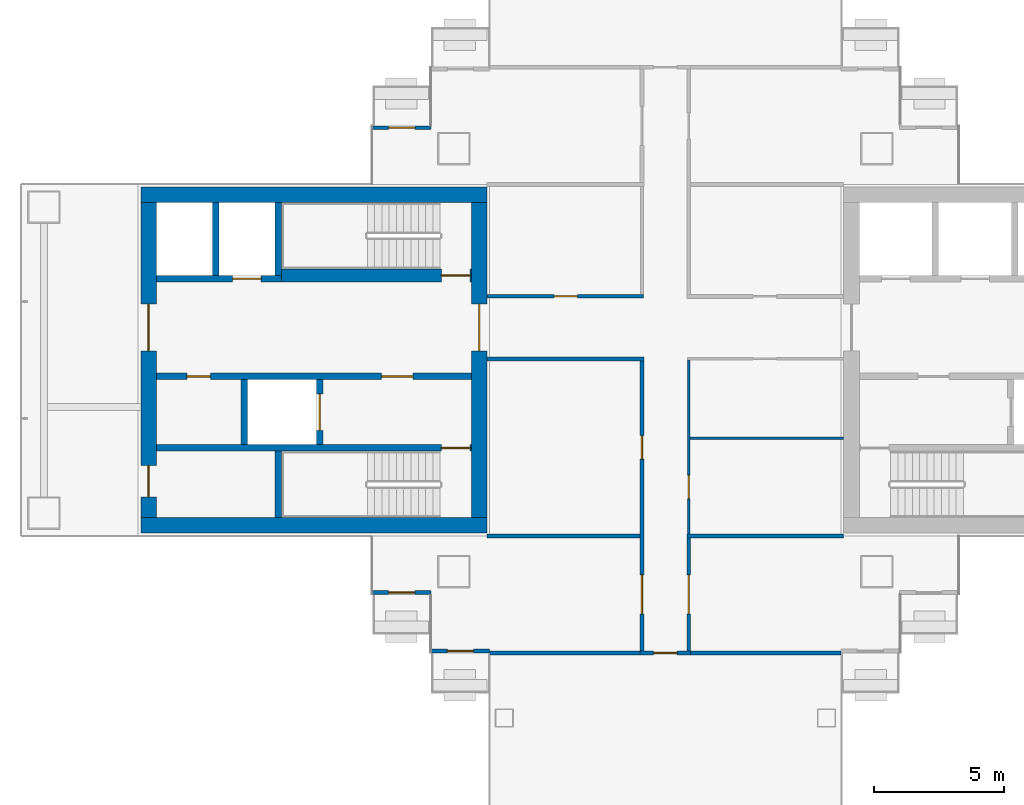
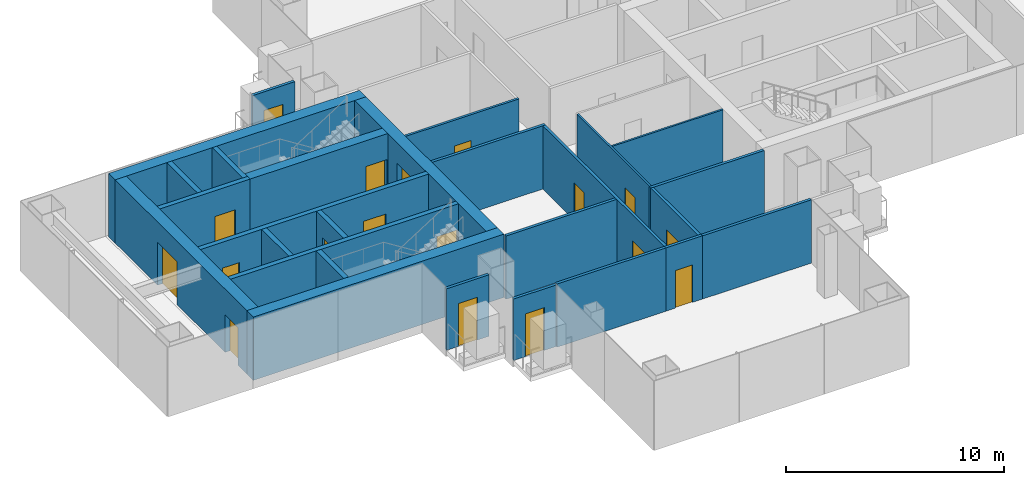
# One storey, part 12 of 20: 27 walls, 18 doors, 18 openings.
"""IFC4 building model written with IfcOpenShell, lengths in metres."""

from ifc_helpers import new_model, si_unit, direction, frame, frame_2d, origin, place, context, subcontext, project, spatial, rectangle, extrude, material, layer, layer_set, type_object, element, fill, save


model = new_model("IFC4")

# Units and contexts
model_context = context("Model", 3, precision=1e-05, world=origin(), true_north=direction((0.0, 1.0)))
body_context = subcontext(model_context, "Body", "Model", "MODEL_VIEW")
ifc_project = project(units=[si_unit("LENGTHUNIT", "METRE"), si_unit("AREAUNIT", "SQUARE_METRE"), si_unit("VOLUMEUNIT", "CUBIC_METRE"), si_unit("PLANEANGLEUNIT", "RADIAN"), si_unit("MASSUNIT", "GRAM", prefix="KILO")], contexts=[model_context])

# Site, building, storey
site_placement = place(None, origin())
site = spatial("IfcSite", under=ifc_project, at=site_placement, CompositionType="ELEMENT")
building_placement = place(site_placement, origin())
building = spatial("IfcBuilding", under=site, at=building_placement, Name="Shamsa Quay Exchange Towers", CompositionType="ELEMENT")
storey_placement = place(building_placement, frame((0.0, 0.0, 105.300048828125)))
storey = spatial("IfcBuildingStorey", under=building, at=storey_placement, Name="L24", CompositionType="ELEMENT", Elevation=105.300048828125)

# Wall, opening, door
ifc_material_1 = material(Name="Aluminium EN AW-6063 T6, black anodised, with black enamelled glass infill", Category="aluminium")
ifc_layer_1 = layer(ifc_material_1, 0.14990234375)
ifc_layer_set_1 = layer_set([ifc_layer_1], Name="BALCONY DOOR BAY WALL 150")
wall_type_1 = type_object("IfcWallType", Name="BALCONY DOOR BAY WALL 150", PredefinedType="SOLIDWALL", material=ifc_layer_set_1)
wall_1_placement = place(storey_placement, frame((-45.0, 8.925048828125, 0.0)))
wall_1 = element("IfcWall", 1, at=wall_1_placement, inside=storey, type_object=wall_type_1, Name="Door bay T1-PKWN L24", PredefinedType="SOLIDWALL", context=body_context, shape_type="SweptSolid", body=[
    extrude(rectangle(XDim=2.25, YDim=0.14990234375, at=frame_2d((1.125, 0.0))), origin(), (0.0, 0.0, 1.0), 3.449951171875),
])
opening_1_placement = place(wall_1_placement, frame((0.625, 0.0, 0.0)))
opening_1 = element("IfcOpeningElement", 2, at=opening_1_placement, cuts=wall_1, Name="Opening XD158", PredefinedType="OPENING", context=body_context, shape_type="SweptSolid", body=[
    extrude(rectangle(XDim=1.0, YDim=2.39990234375, at=frame_2d((0.5, 1.199951171875))), frame((0.0, 0.0849609375, 0.0), z_axis=(0.0, -1.0, 0.0), x_axis=(1.0, 0.0, 0.0)), (0.0, 0.0, 1.0), 0.169921875),
])
ifc_material_2 = material(Name="Aluminium EN AW-6063 T6, black anodised, with laminated glass leaf", Category="aluminium")
door_type_1 = type_object("IfcDoorType", Name="BALCONY DOOR 1000x2400", OperationType="SINGLE_SWING_LEFT", PredefinedType="DOOR", material=ifc_material_2)
door_1_placement = place(opening_1_placement, origin())
door_1 = element("IfcDoor", 3, at=door_1_placement, inside=storey, type_object=door_type_1, Name="Balcony door T1-PKWN L24", OperationType="SINGLE_SWING_RIGHT", OverallHeight=2.39990234375, OverallWidth=1.0, PredefinedType="DOOR", context=body_context, shape_type="SweptSolid", body=[
    extrude(rectangle(XDim=1.0, YDim=2.39990234375, at=frame_2d((0.5, 1.199951171875))), frame((0.0, 0.02490234375, 0.0), z_axis=(0.0, -1.0, 0.0), x_axis=(1.0, 0.0, 0.0)), (0.0, 0.0, 1.0), 0.050048828125),
])
fill(opening_1, door_1)

wall_2_placement = place(storey_placement, frame((-42.75, -8.925048828125, 0.0), z_axis=(0.0, 0.0, 1.0), x_axis=(-1.0, 0.0, 0.0)))
wall_2 = element("IfcWall", 4, at=wall_2_placement, inside=storey, type_object=wall_type_1, Name="Door bay T1-PKWS L24", PredefinedType="SOLIDWALL", context=body_context, shape_type="SweptSolid", body=[
    extrude(rectangle(XDim=2.25, YDim=0.14990234375, at=frame_2d((1.125, 0.0))), origin(), (0.0, 0.0, 1.0), 3.449951171875),
])
opening_2_placement = place(wall_2_placement, frame((0.625, 0.0, 0.0)))
opening_2 = element("IfcOpeningElement", 5, at=opening_2_placement, cuts=wall_2, Name="Opening XD159", PredefinedType="OPENING", context=body_context, shape_type="SweptSolid", body=[
    extrude(rectangle(XDim=1.0, YDim=2.39990234375, at=frame_2d((0.5, 1.199951171875))), frame((0.0, 0.0849609375, 0.0), z_axis=(0.0, -1.0, 0.0), x_axis=(1.0, 0.0, 0.0)), (0.0, 0.0, 1.0), 0.169921875),
])
door_2_placement = place(opening_2_placement, origin())
door_2 = element("IfcDoor", 6, at=door_2_placement, inside=storey, type_object=door_type_1, Name="Balcony door T1-PKWS L24", OperationType="SINGLE_SWING_LEFT", OverallHeight=2.39990234375, OverallWidth=1.0, PredefinedType="DOOR", context=body_context, shape_type="SweptSolid", body=[
    extrude(rectangle(XDim=1.0, YDim=2.39990234375, at=frame_2d((0.5, 1.199951171875))), frame((0.0, 0.02490234375, 0.0), z_axis=(0.0, -1.0, 0.0), x_axis=(1.0, 0.0, 0.0)), (0.0, 0.0, 1.0), 0.050048828125),
])
fill(opening_2, door_2)

wall_3_placement = place(storey_placement, frame((-40.5, -11.175048828125, 0.0), z_axis=(0.0, 0.0, 1.0), x_axis=(-1.0, 0.0, 0.0)))
wall_3 = element("IfcWall", 7, at=wall_3_placement, inside=storey, type_object=wall_type_1, Name="Door bay T1-PKWS L24", PredefinedType="SOLIDWALL", context=body_context, shape_type="SweptSolid", body=[
    extrude(rectangle(XDim=2.25, YDim=0.14990234375, at=frame_2d((1.125, 0.0))), origin(), (0.0, 0.0, 1.0), 3.449951171875),
])
opening_3_placement = place(wall_3_placement, frame((0.625, 0.0, 0.0)))
opening_3 = element("IfcOpeningElement", 8, at=opening_3_placement, cuts=wall_3, Name="Opening XD160", PredefinedType="OPENING", context=body_context, shape_type="SweptSolid", body=[
    extrude(rectangle(XDim=1.0, YDim=2.39990234375, at=frame_2d((0.5, 1.199951171875))), frame((0.0, 0.0849609375, 0.0), z_axis=(0.0, -1.0, 0.0), x_axis=(1.0, 0.0, 0.0)), (0.0, 0.0, 1.0), 0.169921875),
])
door_3_placement = place(opening_3_placement, origin())
door_3 = element("IfcDoor", 9, at=door_3_placement, inside=storey, type_object=door_type_1, Name="Balcony door T1-PKWS L24", OperationType="SINGLE_SWING_RIGHT", OverallHeight=2.39990234375, OverallWidth=1.0, PredefinedType="DOOR", context=body_context, shape_type="SweptSolid", body=[
    extrude(rectangle(XDim=1.0, YDim=2.39990234375, at=frame_2d((0.5, 1.199951171875))), frame((0.0, 0.02490234375, 0.0), z_axis=(0.0, -1.0, 0.0), x_axis=(1.0, 0.0, 0.0)), (0.0, 0.0, 1.0), 0.050048828125),
])
fill(opening_3, door_3)

# Walls
ifc_material_3 = material(Name="Concrete C70/85", Category="concrete")
ifc_layer_2 = layer(ifc_material_3, 0.60009765625)
ifc_layer_set_2 = layer_set([ifc_layer_2], Name="CORE WALL 600 C70/85")
wall_type_2 = type_object("IfcWallType", Name="CORE WALL 600 C70/85", PredefinedType="SHEAR", material=ifc_layer_set_2)
for number, where, z_axis, x_axis, name in (
    (10, (-40.60009765625, -6.35009765625, 0.0), (0.0, 0.0, 1.0), (-1.0, 0.0, 0.0), "Core wall T1B-R10-PS"),
    (11, (-40.60009765625, 6.35009765625, 0.0), (0.0, 0.0, 1.0), (-1.0, 0.0, 0.0), "Core wall T1B-R10-PN"),
):
    element("IfcWall", number, at=place(storey_placement, frame(where, z_axis=z_axis, x_axis=x_axis)), inside=storey, type_object=wall_type_2, Name=name, PredefinedType="SHEAR", context=body_context, shape_type="SweptSolid", body=[
        extrude(rectangle(XDim=13.2998046875, YDim=0.60009765625, at=frame_2d((6.64990234375, 0.0))), origin(), (0.0, 0.0, 1.0), 3.550048828125),
    ])

# Wall, opening, door
wall_4_placement = place(storey_placement, frame((-40.89990234375, -6.050048828125, 0.0), z_axis=(0.0, 0.0, 1.0), x_axis=(0.0, 1.0, 0.0)))
wall_4 = element("IfcWall", 12, at=wall_4_placement, inside=storey, type_object=wall_type_2, Name="Core wall T1B-R10-PF", PredefinedType="SHEAR", context=body_context, shape_type="SweptSolid", body=[
    extrude(rectangle(XDim=12.10009765625, YDim=0.60009765625, at=frame_2d((6.050048828125, 0.0))), origin(), (0.0, 0.0, 1.0), 3.550048828125),
])
opening_4_placement = place(wall_4_placement, frame((6.39990234375, 0.0, 0.0)))
opening_4 = element("IfcOpeningElement", 13, at=opening_4_placement, cuts=wall_4, Name="Opening T1B-R10-LBD01", PredefinedType="OPENING", context=body_context, shape_type="SweptSolid", body=[
    extrude(rectangle(XDim=1.800048828125, YDim=2.39990234375, at=frame_2d((0.89990234375, 1.199951171875))), frame((0.0, 0.31005859375, 0.0), z_axis=(0.0, -1.0, 0.0), x_axis=(1.0, 0.0, 0.0)), (0.0, 0.0, 1.0), 0.6201171875),
])
ifc_material_4 = material(Name="Steel, fire rated", Category="steel")
door_type_2 = type_object("IfcDoorType", Name="LIFT LOBBY DOOR PAIR 1800", OperationType="DOUBLE_DOOR_SINGLE_SWING", PredefinedType="DOOR", material=ifc_material_4)
door_4_placement = place(opening_4_placement, origin())
door_4 = element("IfcDoor", 14, at=door_4_placement, inside=storey, type_object=door_type_2, Name="T1B-R10-LBD01", OperationType="DOUBLE_DOOR_SINGLE_SWING", OverallHeight=2.39990234375, OverallWidth=1.800048828125, PredefinedType="DOOR", context=body_context, shape_type="SweptSolid", body=[
    extrude(rectangle(XDim=1.800048828125, YDim=2.39990234375, at=frame_2d((0.89990234375, 1.199951171875))), frame((0.0, 0.02490234375, 0.0), z_axis=(0.0, -1.0, 0.0), x_axis=(1.0, 0.0, 0.0)), (0.0, 0.0, 1.0), 0.050048828125),
])
fill(opening_4, door_4)

# Wall, openings, doors
wall_5_placement = place(storey_placement, frame((-53.60009765625, -6.050048828125, 0.0), z_axis=(0.0, 0.0, 1.0), x_axis=(0.0, 1.0, 0.0)))
wall_5 = element("IfcWall", 15, at=wall_5_placement, inside=storey, type_object=wall_type_2, Name="Core wall T1B-R10-PB", PredefinedType="SHEAR", context=body_context, shape_type="SweptSolid", body=[
    extrude(rectangle(XDim=12.10009765625, YDim=0.60009765625, at=frame_2d((6.050048828125, 0.0))), origin(), (0.0, 0.0, 1.0), 3.550048828125),
])
opening_5_placement = place(wall_5_placement, frame((0.800048828125, 0.0, 0.0)))
opening_5 = element("IfcOpeningElement", 16, at=opening_5_placement, cuts=wall_5, Name="Opening T1B-R10-RD02", PredefinedType="OPENING", context=body_context, shape_type="SweptSolid", body=[
    extrude(rectangle(XDim=1.199951171875, YDim=2.10009765625, at=frame_2d((0.60009765625, 1.050048828125))), frame((0.0, 0.31005859375, 0.0), z_axis=(0.0, -1.0, 0.0), x_axis=(1.0, 0.0, 0.0)), (0.0, 0.0, 1.0), 0.6201171875),
])
opening_6_placement = place(wall_5_placement, frame((6.39990234375, 0.0, 0.0)))
opening_6 = element("IfcOpeningElement", 17, at=opening_6_placement, cuts=wall_5, Name="Opening T1B-R10-LBD03", PredefinedType="OPENING", context=body_context, shape_type="SweptSolid", body=[
    extrude(rectangle(XDim=1.800048828125, YDim=2.39990234375, at=frame_2d((0.89990234375, 1.199951171875))), frame((0.0, 0.31005859375, 0.0), z_axis=(0.0, -1.0, 0.0), x_axis=(1.0, 0.0, 0.0)), (0.0, 0.0, 1.0), 0.6201171875),
])
door_5_placement = place(opening_6_placement, origin())
door_5 = element("IfcDoor", 18, at=door_5_placement, inside=storey, type_object=door_type_2, Name="T1B-R10-LBD03", OperationType="DOUBLE_DOOR_SINGLE_SWING", OverallHeight=2.39990234375, OverallWidth=1.800048828125, PredefinedType="DOOR", context=body_context, shape_type="SweptSolid", body=[
    extrude(rectangle(XDim=1.800048828125, YDim=2.39990234375, at=frame_2d((0.89990234375, 1.199951171875))), frame((0.0, 0.02490234375, 0.0), z_axis=(0.0, -1.0, 0.0), x_axis=(1.0, 0.0, 0.0)), (0.0, 0.0, 1.0), 0.050048828125),
])
fill(opening_6, door_5)
door_type_3 = type_object("IfcDoorType", Name="RISER ACCESS DOOR 1200", OperationType="SINGLE_SWING_LEFT", PredefinedType="DOOR", material=ifc_material_4)
door_6_placement = place(opening_5_placement, origin())
door_6 = element("IfcDoor", 19, at=door_6_placement, inside=storey, type_object=door_type_3, Name="T1B-R10-RD02", OperationType="SINGLE_SWING_LEFT", OverallHeight=2.10009765625, OverallWidth=1.199951171875, PredefinedType="DOOR", context=body_context, shape_type="SweptSolid", body=[
    extrude(rectangle(XDim=1.199951171875, YDim=2.10009765625, at=frame_2d((0.60009765625, 1.050048828125))), frame((0.0, 0.02490234375, 0.0), z_axis=(0.0, -1.0, 0.0), x_axis=(1.0, 0.0, 0.0)), (0.0, 0.0, 1.0), 0.050048828125),
])
fill(opening_5, door_6)

# Wall, opening, door
ifc_material_5 = material(Name="Laminated fire-resisting glass in a metal frame", Category="glass")
ifc_layer_3 = layer(ifc_material_5, 0.125)
ifc_layer_set_3 = layer_set([ifc_layer_3], Name="Glazed partition 125 mm EI 60")
wall_type_3 = type_object("IfcWallType", Name="Glazed partition 125 mm EI 60", PredefinedType="PARTITIONING", material=ifc_layer_set_3)
wall_6_placement = place(storey_placement, frame((-40.60009765625, 2.4501953125, 0.0)))
wall_6 = element("IfcWall", 20, at=wall_6_placement, inside=storey, type_object=wall_type_3, Name="Partition T1-R10-W06", PredefinedType="PARTITIONING", context=body_context, shape_type="SweptSolid", body=[
    extrude(rectangle(XDim=6.01220703125, YDim=0.125, at=frame_2d((3.006103515625, 0.0))), origin(), (0.0, 0.0, 1.0), 3.550048828125),
])
opening_7_placement = place(wall_6_placement, frame((2.57470703125, 0.0, 0.0)))
opening_7 = element("IfcOpeningElement", 21, at=opening_7_placement, cuts=wall_6, Name="Opening T1-R10-D01", PredefinedType="OPENING", context=body_context, shape_type="SweptSolid", body=[
    extrude(rectangle(XDim=0.89990234375, YDim=2.10009765625, at=frame_2d((0.449951171875, 1.050048828125))), frame((0.0, 0.072509765625, 0.0), z_axis=(0.0, -1.0, 0.0), x_axis=(1.0, 0.0, 0.0)), (0.0, 0.0, 1.0), 0.14501953125),
])
ifc_material_6 = material(Name="Timber door leaf in a metal frame", Category="wood")
door_type_4 = type_object("IfcDoorType", Name="Door 900x2100 FD30S", OperationType="NOTDEFINED", PredefinedType="DOOR", material=ifc_material_6)
door_7_placement = place(opening_7_placement, origin())
door_7 = element("IfcDoor", 22, at=door_7_placement, inside=storey, type_object=door_type_4, Name="Door T1-R10-D01", OperationType="SINGLE_SWING_LEFT", OverallHeight=2.10009765625, OverallWidth=0.89990234375, PredefinedType="DOOR", context=body_context, shape_type="SweptSolid", body=[
    extrude(rectangle(XDim=0.89990234375, YDim=2.10009765625, at=frame_2d((0.449951171875, 1.050048828125))), frame((0.0, 0.02490234375, 0.0), z_axis=(0.0, -1.0, 0.0), x_axis=(1.0, 0.0, 0.0)), (0.0, 0.0, 1.0), 0.050048828125),
])
fill(opening_7, door_7)

ifc_material_7 = material(Name="Gypsum board partition on metal studs")
ifc_layer_4 = layer(ifc_material_7, 0.10009765625)
ifc_layer_set_4 = layer_set([ifc_layer_4], Name="Partition 100 mm NOT RATED")
wall_type_4 = type_object("IfcWallType", Name="Partition 100 mm NOT RATED", PredefinedType="PARTITIONING", material=ifc_layer_set_4)
wall_7_placement = place(storey_placement, frame((-32.849609375, -0.000244140625, 0.0), z_axis=(0.0, 0.0, 1.0), x_axis=(0.0, -1.0, 0.0)))
wall_7 = element("IfcWall", 23, at=wall_7_placement, inside=storey, type_object=wall_type_4, Name="Partition T1-R10-W04", PredefinedType="PARTITIONING", context=body_context, shape_type="SweptSolid", body=[
    extrude(rectangle(XDim=6.6748046875, YDim=0.10009765625, at=frame_2d((3.33740234375, 0.0))), origin(), (0.0, 0.0, 1.0), 3.550048828125),
])
opening_8_placement = place(wall_7_placement, frame((4.4248046875, 0.0, 0.0)))
opening_8 = element("IfcOpeningElement", 24, at=opening_8_placement, cuts=wall_7, Name="Opening T1-R10-D08", PredefinedType="OPENING", context=body_context, shape_type="SweptSolid", body=[
    extrude(rectangle(XDim=0.89990234375, YDim=2.10009765625, at=frame_2d((0.449951171875, 1.050048828125))), frame((0.0, 0.06005859375, 0.0), z_axis=(0.0, -1.0, 0.0), x_axis=(1.0, 0.0, 0.0)), (0.0, 0.0, 1.0), 0.1201171875),
])
door_type_5 = type_object("IfcDoorType", Name="Door 900x2100 NOT RATED", OperationType="NOTDEFINED", PredefinedType="DOOR", material=ifc_material_6)
door_8_placement = place(opening_8_placement, origin())
door_8 = element("IfcDoor", 25, at=door_8_placement, inside=storey, type_object=door_type_5, Name="Door T1-R10-D08", OperationType="SINGLE_SWING_LEFT", OverallHeight=2.10009765625, OverallWidth=0.89990234375, PredefinedType="DOOR", context=body_context, shape_type="SweptSolid", body=[
    extrude(rectangle(XDim=0.89990234375, YDim=2.10009765625, at=frame_2d((0.449951171875, 1.050048828125))), frame((0.0, 0.02490234375, 0.0), z_axis=(0.0, -1.0, 0.0), x_axis=(1.0, 0.0, 0.0)), (0.0, 0.0, 1.0), 0.050048828125),
])
fill(opening_8, door_8)

# Wall
wall_8_placement = place(storey_placement, frame((-26.89990234375, -3.0, 0.0), z_axis=(0.0, 0.0, 1.0), x_axis=(-1.0, 0.0, 0.0)))
element("IfcWall", 26, at=wall_8_placement, inside=storey, type_object=wall_type_4, Name="Partition T1-R10-W16", PredefinedType="PARTITIONING", context=body_context, shape_type="SweptSolid", body=[
    extrude(rectangle(XDim=5.899658203125, YDim=0.10009765625, at=frame_2d((2.94970703125, 0.0))), origin(), (0.0, 0.0, 1.0), 3.550048828125),
])

# Wall, opening, door
ifc_layer_5 = layer(ifc_material_7, 0.14990234375)
ifc_layer_set_5 = layer_set([ifc_layer_5], Name="Partition 150 mm EI 60")
wall_type_5 = type_object("IfcWallType", Name="Partition 150 mm EI 60", PredefinedType="PARTITIONING", material=ifc_layer_set_5)
wall_9_placement = place(storey_placement, frame((-32.849609375, -6.824951171875, 0.0), z_axis=(0.0, 0.0, 1.0), x_axis=(0.0, -1.0, 0.0)))
wall_9 = element("IfcWall", 27, at=wall_9_placement, inside=storey, type_object=wall_type_5, Name="Partition T1-R10-W02", PredefinedType="PARTITIONING", context=body_context, shape_type="SweptSolid", body=[
    extrude(rectangle(XDim=4.35009765625, YDim=0.14990234375, at=frame_2d((2.175048828125, 0.0))), origin(), (0.0, 0.0, 1.0), 3.550048828125),
])
opening_9_placement = place(wall_9_placement, frame((1.425048828125, 0.0, 0.0)))
opening_9 = element("IfcOpeningElement", 28, at=opening_9_placement, cuts=wall_9, Name="Opening T1-R10-D07", PredefinedType="OPENING", context=body_context, shape_type="SweptSolid", body=[
    extrude(rectangle(XDim=1.5, YDim=2.10009765625, at=frame_2d((0.75, 1.050048828125))), frame((0.0, 0.0849609375, 0.0), z_axis=(0.0, -1.0, 0.0), x_axis=(1.0, 0.0, 0.0)), (0.0, 0.0, 1.0), 0.169921875),
])
door_type_6 = type_object("IfcDoorType", Name="Door 1500x2100 FD30S pair", OperationType="NOTDEFINED", PredefinedType="DOOR", material=ifc_material_6)
door_9_placement = place(opening_9_placement, origin())
door_9 = element("IfcDoor", 29, at=door_9_placement, inside=storey, type_object=door_type_6, Name="Door T1-R10-D07", OperationType="DOUBLE_DOOR_SINGLE_SWING", OverallHeight=2.10009765625, OverallWidth=1.5, PredefinedType="DOOR", context=body_context, shape_type="SweptSolid", body=[
    extrude(rectangle(XDim=1.5, YDim=2.10009765625, at=frame_2d((0.75, 1.050048828125))), frame((0.0, 0.02490234375, 0.0), z_axis=(0.0, -1.0, 0.0), x_axis=(1.0, 0.0, 0.0)), (0.0, 0.0, 1.0), 0.050048828125),
])
fill(opening_9, door_9)

# Wall, openings, doors
wall_10_placement = place(storey_placement, frame((-34.650390625, -11.175048828125, 0.0), z_axis=(0.0, 0.0, 1.0), x_axis=(0.0, 1.0, 0.0)))
wall_10 = element("IfcWall", 30, at=wall_10_placement, inside=storey, type_object=wall_type_5, Name="Partition T1-R10-W08", PredefinedType="PARTITIONING", context=body_context, shape_type="SweptSolid", body=[
    extrude(rectangle(XDim=11.14990234375, YDim=0.14990234375, at=frame_2d((5.574951171875, 0.0))), origin(), (0.0, 0.0, 1.0), 3.550048828125),
])
opening_10_placement = place(wall_10_placement, frame((1.425048828125, 0.0, 0.0)))
opening_10 = element("IfcOpeningElement", 31, at=opening_10_placement, cuts=wall_10, Name="Opening T1-R10-D02", PredefinedType="OPENING", context=body_context, shape_type="SweptSolid", body=[
    extrude(rectangle(XDim=1.5, YDim=2.10009765625, at=frame_2d((0.75, 1.050048828125))), frame((0.0, 0.0849609375, 0.0), z_axis=(0.0, -1.0, 0.0), x_axis=(1.0, 0.0, 0.0)), (0.0, 0.0, 1.0), 0.169921875),
])
opening_11_placement = place(wall_10_placement, frame((7.375, 0.0, 0.0)))
opening_11 = element("IfcOpeningElement", 32, at=opening_11_placement, cuts=wall_10, Name="Opening T1-R10-D03", PredefinedType="OPENING", context=body_context, shape_type="SweptSolid", body=[
    extrude(rectangle(XDim=0.89990234375, YDim=2.10009765625, at=frame_2d((0.449951171875, 1.050048828125))), frame((0.0, 0.0849609375, 0.0), z_axis=(0.0, -1.0, 0.0), x_axis=(1.0, 0.0, 0.0)), (0.0, 0.0, 1.0), 0.169921875),
])
door_10_placement = place(opening_10_placement, origin())
door_10 = element("IfcDoor", 33, at=door_10_placement, inside=storey, type_object=door_type_6, Name="Door T1-R10-D02", OperationType="DOUBLE_DOOR_SINGLE_SWING", OverallHeight=2.10009765625, OverallWidth=1.5, PredefinedType="DOOR", context=body_context, shape_type="SweptSolid", body=[
    extrude(rectangle(XDim=1.5, YDim=2.10009765625, at=frame_2d((0.75, 1.050048828125))), frame((0.0, 0.02490234375, 0.0), z_axis=(0.0, -1.0, 0.0), x_axis=(1.0, 0.0, 0.0)), (0.0, 0.0, 1.0), 0.050048828125),
])
fill(opening_10, door_10)
door_11_placement = place(opening_11_placement, origin())
door_11 = element("IfcDoor", 34, at=door_11_placement, inside=storey, type_object=door_type_4, Name="Door T1-R10-D03", OperationType="SINGLE_SWING_RIGHT", OverallHeight=2.10009765625, OverallWidth=0.89990234375, PredefinedType="DOOR", context=body_context, shape_type="SweptSolid", body=[
    extrude(rectangle(XDim=0.89990234375, YDim=2.10009765625, at=frame_2d((0.449951171875, 1.050048828125))), frame((0.0, 0.02490234375, 0.0), z_axis=(0.0, -1.0, 0.0), x_axis=(1.0, 0.0, 0.0)), (0.0, 0.0, 1.0), 0.050048828125),
])
fill(opening_11, door_11)

# Wall
wall_11_placement = place(storey_placement, frame((-34.575439453125, 0.0498046875, 0.0), z_axis=(0.0, 0.0, 1.0), x_axis=(-1.0, 0.0, 0.0)))
element("IfcWall", 35, at=wall_11_placement, inside=storey, type_object=wall_type_5, Name="Partition T1-R10-W10", PredefinedType="PARTITIONING", context=body_context, shape_type="SweptSolid", body=[
    extrude(rectangle(XDim=6.024658203125, YDim=0.14990234375, at=frame_2d((3.01220703125, 0.0))), origin(), (0.0, 0.0, 1.0), 3.550048828125),
])

# Wall, opening, door
wall_12_placement = place(storey_placement, frame((-32.774658203125, -11.25, 0.0), z_axis=(0.0, 0.0, 1.0), x_axis=(-1.0, 0.0, 0.0)))
wall_12 = element("IfcWall", 36, at=wall_12_placement, inside=storey, type_object=wall_type_5, Name="Partition T1-R10-W12", PredefinedType="PARTITIONING", context=body_context, shape_type="SweptSolid", body=[
    extrude(rectangle(XDim=1.95068359375, YDim=0.14990234375, at=frame_2d((0.975341796875, 0.0))), origin(), (0.0, 0.0, 1.0), 3.550048828125),
])
opening_12_placement = place(wall_12_placement, frame((0.525390625, 0.0, 0.0)))
opening_12 = element("IfcOpeningElement", 37, at=opening_12_placement, cuts=wall_12, Name="Opening T1-R10-D06", PredefinedType="OPENING", context=body_context, shape_type="SweptSolid", body=[
    extrude(rectangle(XDim=0.89990234375, YDim=2.10009765625, at=frame_2d((0.449951171875, 1.050048828125))), frame((0.0, 0.0849609375, 0.0), z_axis=(0.0, -1.0, 0.0), x_axis=(1.0, 0.0, 0.0)), (0.0, 0.0, 1.0), 0.169921875),
])
door_12_placement = place(opening_12_placement, origin())
door_12 = element("IfcDoor", 38, at=door_12_placement, inside=storey, type_object=door_type_4, Name="Door T1-R10-D06", OperationType="SINGLE_SWING_LEFT", OverallHeight=2.10009765625, OverallWidth=0.89990234375, PredefinedType="DOOR", context=body_context, shape_type="SweptSolid", body=[
    extrude(rectangle(XDim=0.89990234375, YDim=2.10009765625, at=frame_2d((0.449951171875, 1.050048828125))), frame((0.0, 0.02490234375, 0.0), z_axis=(0.0, -1.0, 0.0), x_axis=(1.0, 0.0, 0.0)), (0.0, 0.0, 1.0), 0.050048828125),
])
fill(opening_12, door_12)

# Walls
wall_13_placement = place(storey_placement, frame((-40.60009765625, -6.75, 0.0)))
element("IfcWall", 39, at=wall_13_placement, inside=storey, type_object=wall_type_5, Name="Partition T1-R10-W17", PredefinedType="PARTITIONING", context=body_context, shape_type="SweptSolid", body=[
    extrude(rectangle(XDim=5.874755859375, YDim=0.14990234375, at=frame_2d((2.9375, 0.0))), origin(), (0.0, 0.0, 1.0), 3.550048828125),
])
wall_14_placement = place(storey_placement, frame((-32.924560546875, -6.75, 0.0)))
element("IfcWall", 40, at=wall_14_placement, inside=storey, type_object=wall_type_5, Name="Partition T1-R10-W18", PredefinedType="PARTITIONING", context=body_context, shape_type="SweptSolid", body=[
    extrude(rectangle(XDim=6.024658203125, YDim=0.14990234375, at=frame_2d((3.01220703125, 0.0))), origin(), (0.0, 0.0, 1.0), 3.550048828125),
])
for number, where, name in (
    (41, (-40.5, -11.25, 0.0), "Partition T1-R10-W21"),
    (42, (-32.924560546875, -11.25, 0.0), "Partition T1-R10-W22"),
):
    element("IfcWall", number, at=place(storey_placement, frame(where)), inside=storey, type_object=wall_type_5, Name=name, PredefinedType="PARTITIONING", context=body_context, shape_type="SweptSolid", body=[
        extrude(rectangle(XDim=5.924560546875, YDim=0.14990234375, at=frame_2d((2.96240234375, 0.0))), origin(), (0.0, 0.0, 1.0), 3.550048828125),
    ])

# Wall, opening, door
ifc_material_8 = material(Name="Concrete C50/60", Category="concrete")
ifc_layer_6 = layer(ifc_material_8, 0.25)
ifc_layer_set_6 = layer_set([ifc_layer_6], Name="SHAFT WALL 250 C50/60")
wall_type_6 = type_object("IfcWallType", Name="SHAFT WALL 250 C50/60", PredefinedType="SHEAR", material=ifc_layer_set_6)
wall_15_placement = place(storey_placement, frame((-41.199951171875, -3.375, 0.0), z_axis=(0.0, 0.0, 1.0), x_axis=(-1.0, 0.0, 0.0)))
wall_15 = element("IfcWall", 43, at=wall_15_placement, inside=storey, type_object=wall_type_6, Name="Shaft wall T1B-R10-STL", PredefinedType="SHEAR", context=body_context, shape_type="SweptSolid", body=[
    extrude(rectangle(XDim=12.10009765625, YDim=0.25, at=frame_2d((6.050048828125, 0.0))), origin(), (0.0, 0.0, 1.0), 3.550048828125),
])
opening_13_placement = place(wall_15_placement, frame((0.050048828125, 0.0, 0.0)))
opening_13 = element("IfcOpeningElement", 44, at=opening_13_placement, cuts=wall_15, Name="Opening T1B-R10-SD04", PredefinedType="OPENING", context=body_context, shape_type="SweptSolid", body=[
    extrude(rectangle(XDim=1.10009765625, YDim=2.10009765625, at=frame_2d((0.550048828125, 1.050048828125))), frame((0.0, 0.135009765625, 0.0), z_axis=(0.0, -1.0, 0.0), x_axis=(1.0, 0.0, 0.0)), (0.0, 0.0, 1.0), 0.27001953125),
])
door_type_7 = type_object("IfcDoorType", Name="STAIR DOOR 1100", OperationType="SINGLE_SWING_LEFT", PredefinedType="DOOR", material=ifc_material_4)
door_13_placement = place(opening_13_placement, origin())
door_13 = element("IfcDoor", 45, at=door_13_placement, inside=storey, type_object=door_type_7, Name="T1B-R10-SD04", OperationType="SINGLE_SWING_LEFT", OverallHeight=2.10009765625, OverallWidth=1.10009765625, PredefinedType="DOOR", context=body_context, shape_type="SweptSolid", body=[
    extrude(rectangle(XDim=1.10009765625, YDim=2.10009765625, at=frame_2d((0.550048828125, 1.050048828125))), frame((0.0, 0.02490234375, 0.0), z_axis=(0.0, -1.0, 0.0), x_axis=(1.0, 0.0, 0.0)), (0.0, 0.0, 1.0), 0.050048828125),
])
fill(opening_13, door_13)

# Wall
wall_16_placement = place(storey_placement, frame((-48.625, -6.050048828125, 0.0), z_axis=(0.0, 0.0, 1.0), x_axis=(0.0, 1.0, 0.0)))
element("IfcWall", 46, at=wall_16_placement, inside=storey, type_object=wall_type_6, Name="Shaft wall T1B-R10-STF", PredefinedType="SHEAR", context=body_context, shape_type="SweptSolid", body=[
    extrude(rectangle(XDim=2.550048828125, YDim=0.25, at=frame_2d((1.27490234375, 0.0))), origin(), (0.0, 0.0, 1.0), 3.550048828125),
])

# Wall, openings, doors
wall_17_placement = place(storey_placement, frame((-41.199951171875, -0.625, 0.0), z_axis=(0.0, 0.0, 1.0), x_axis=(-1.0, 0.0, 0.0)))
wall_17 = element("IfcWall", 47, at=wall_17_placement, inside=storey, type_object=wall_type_6, Name="Shaft wall T1B-R10-B", PredefinedType="SHEAR", context=body_context, shape_type="SweptSolid", body=[
    extrude(rectangle(XDim=12.10009765625, YDim=0.25, at=frame_2d((6.050048828125, 0.0))), origin(), (0.0, 0.0, 1.0), 3.550048828125),
])
opening_14_placement = place(wall_17_placement, frame((2.25, 0.0, 0.0)))
opening_14 = element("IfcOpeningElement", 48, at=opening_14_placement, cuts=wall_17, Name="Opening T1B-R10-FD05", PredefinedType="OPENING", context=body_context, shape_type="SweptSolid", body=[
    extrude(rectangle(XDim=1.199951171875, YDim=2.10009765625, at=frame_2d((0.60009765625, 1.050048828125))), frame((0.0, 0.135009765625, 0.0), z_axis=(0.0, -1.0, 0.0), x_axis=(1.0, 0.0, 0.0)), (0.0, 0.0, 1.0), 0.27001953125),
])
opening_15_placement = place(wall_17_placement, frame((10.02490234375, 0.0, 0.0)))
opening_15 = element("IfcOpeningElement", 49, at=opening_15_placement, cuts=wall_17, Name="Opening T1B-R10-SV06", PredefinedType="OPENING", context=body_context, shape_type="SweptSolid", body=[
    extrude(rectangle(XDim=0.89990234375, YDim=2.10009765625, at=frame_2d((0.449951171875, 1.050048828125))), frame((0.0, 0.135009765625, 0.0), z_axis=(0.0, -1.0, 0.0), x_axis=(1.0, 0.0, 0.0)), (0.0, 0.0, 1.0), 0.27001953125),
])
door_type_8 = type_object("IfcDoorType", Name="FIRE SERVICE LOBBY DOOR 1200", OperationType="SINGLE_SWING_LEFT", PredefinedType="DOOR", material=ifc_material_4)
door_14_placement = place(opening_14_placement, origin())
door_14 = element("IfcDoor", 50, at=door_14_placement, inside=storey, type_object=door_type_8, Name="T1B-R10-FD05", OperationType="SINGLE_SWING_LEFT", OverallHeight=2.10009765625, OverallWidth=1.199951171875, PredefinedType="DOOR", context=body_context, shape_type="SweptSolid", body=[
    extrude(rectangle(XDim=1.199951171875, YDim=2.10009765625, at=frame_2d((0.60009765625, 1.050048828125))), frame((0.0, 0.02490234375, 0.0), z_axis=(0.0, -1.0, 0.0), x_axis=(1.0, 0.0, 0.0)), (0.0, 0.0, 1.0), 0.050048828125),
])
fill(opening_14, door_14)
door_type_9 = type_object("IfcDoorType", Name="SERVICE ROOM DOOR 900", OperationType="SINGLE_SWING_LEFT", PredefinedType="DOOR", material=ifc_material_4)
door_15_placement = place(opening_15_placement, origin())
door_15 = element("IfcDoor", 51, at=door_15_placement, inside=storey, type_object=door_type_9, Name="T1B-R10-SV06", OperationType="SINGLE_SWING_RIGHT", OverallHeight=2.10009765625, OverallWidth=0.89990234375, PredefinedType="DOOR", context=body_context, shape_type="SweptSolid", body=[
    extrude(rectangle(XDim=0.89990234375, YDim=2.10009765625, at=frame_2d((0.449951171875, 1.050048828125))), frame((0.0, 0.02490234375, 0.0), z_axis=(0.0, -1.0, 0.0), x_axis=(1.0, 0.0, 0.0)), (0.0, 0.0, 1.0), 0.050048828125),
])
fill(opening_15, door_15)

# Wall, opening, door
wall_18_placement = place(storey_placement, frame((-47.02490234375, -3.25, 0.0), z_axis=(0.0, 0.0, 1.0), x_axis=(0.0, 1.0, 0.0)))
wall_18 = element("IfcWall", 52, at=wall_18_placement, inside=storey, type_object=wall_type_6, Name="Shaft wall T1B-R10-FFF", PredefinedType="SHEAR", context=body_context, shape_type="SweptSolid", body=[
    extrude(rectangle(XDim=2.5, YDim=0.25, at=frame_2d((1.25, 0.0))), origin(), (0.0, 0.0, 1.0), 3.550048828125),
])
opening_16_placement = place(wall_18_placement, frame((0.550048828125, 0.0, 0.0)))
opening_16 = element("IfcOpeningElement", 53, at=opening_16_placement, cuts=wall_18, Name="Opening T1B-R10-LDG07", PredefinedType="OPENING", context=body_context, shape_type="SweptSolid", body=[
    extrude(rectangle(XDim=1.39990234375, YDim=2.39990234375, at=frame_2d((0.699951171875, 1.199951171875))), frame((0.0, 0.135009765625, 0.0), z_axis=(0.0, -1.0, 0.0), x_axis=(1.0, 0.0, 0.0)), (0.0, 0.0, 1.0), 0.27001953125),
])
door_type_10 = type_object("IfcDoorType", Name="GOODS LIFT LANDING DOOR 1400", OperationType="SLIDING_TO_LEFT", PredefinedType="DOOR", material=ifc_material_4)
door_16_placement = place(opening_16_placement, origin())
door_16 = element("IfcDoor", 54, at=door_16_placement, inside=storey, type_object=door_type_10, Name="T1B-R10-LDG07", OperationType="SLIDING_TO_LEFT", OverallHeight=2.39990234375, OverallWidth=1.39990234375, PredefinedType="DOOR", context=body_context, shape_type="SweptSolid", body=[
    extrude(rectangle(XDim=1.39990234375, YDim=2.39990234375, at=frame_2d((0.699951171875, 1.199951171875))), frame((0.0, 0.02490234375, 0.0), z_axis=(0.0, -1.0, 0.0), x_axis=(1.0, 0.0, 0.0)), (0.0, 0.0, 1.0), 0.050048828125),
])
fill(opening_16, door_16)

# Wall
wall_19_placement = place(storey_placement, frame((-49.925048828125, -3.25, 0.0), z_axis=(0.0, 0.0, 1.0), x_axis=(0.0, 1.0, 0.0)))
element("IfcWall", 55, at=wall_19_placement, inside=storey, type_object=wall_type_6, Name="Shaft wall T1B-R10-FFB", PredefinedType="SHEAR", context=body_context, shape_type="SweptSolid", body=[
    extrude(rectangle(XDim=2.5, YDim=0.25, at=frame_2d((1.25, 0.0))), origin(), (0.0, 0.0, 1.0), 3.550048828125),
])

# Wall, opening, door
wall_20_placement = place(storey_placement, frame((-48.5, 3.125, 0.0), z_axis=(0.0, 0.0, 1.0), x_axis=(-1.0, 0.0, 0.0)))
wall_20 = element("IfcWall", 56, at=wall_20_placement, inside=storey, type_object=wall_type_6, Name="Shaft wall T1B-R10-N2", PredefinedType="SHEAR", context=body_context, shape_type="SweptSolid", body=[
    extrude(rectangle(XDim=4.800048828125, YDim=0.25, at=frame_2d((2.39990234375, 0.0))), origin(), (0.0, 0.0, 1.0), 3.550048828125),
])
opening_17_placement = place(wall_20_placement, frame((0.77490234375, 0.0, 0.0)))
opening_17 = element("IfcOpeningElement", 57, at=opening_17_placement, cuts=wall_20, Name="Opening T1B-R10-LD09", PredefinedType="OPENING", context=body_context, shape_type="SweptSolid", body=[
    extrude(rectangle(XDim=1.10009765625, YDim=2.10009765625, at=frame_2d((0.550048828125, 1.050048828125))), frame((0.0, 0.135009765625, 0.0), z_axis=(0.0, -1.0, 0.0), x_axis=(1.0, 0.0, 0.0)), (0.0, 0.0, 1.0), 0.27001953125),
])
door_type_11 = type_object("IfcDoorType", Name="LANDING DOOR 1100", OperationType="SLIDING_TO_LEFT", PredefinedType="DOOR", material=ifc_material_4)
door_17_placement = place(opening_17_placement, origin())
door_17 = element("IfcDoor", 58, at=door_17_placement, inside=storey, type_object=door_type_11, Name="T1B-R10-LD09", OperationType="SLIDING_TO_LEFT", OverallHeight=2.10009765625, OverallWidth=1.10009765625, PredefinedType="DOOR", context=body_context, shape_type="SweptSolid", body=[
    extrude(rectangle(XDim=1.10009765625, YDim=2.10009765625, at=frame_2d((0.550048828125, 1.050048828125))), frame((0.0, 0.02490234375, 0.0), z_axis=(0.0, -1.0, 0.0), x_axis=(1.0, 0.0, 0.0)), (0.0, 0.0, 1.0), 0.050048828125),
])
fill(opening_17, door_17)

# Walls
for number, where, z_axis, x_axis, name in (
    (59, (-48.625, 3.25, 0.0), (0.0, 0.0, 1.0), (0.0, 1.0, 0.0), "Shaft wall T1B-R10-STF2"),
    (60, (-51.02490234375, 3.25, 0.0), (0.0, 0.0, 1.0), (0.0, 1.0, 0.0), "Shaft wall T1B-R10-D0"),
):
    element("IfcWall", number, at=place(storey_placement, frame(where, z_axis=z_axis, x_axis=x_axis)), inside=storey, type_object=wall_type_6, Name=name, PredefinedType="SHEAR", context=body_context, shape_type="SweptSolid", body=[
        extrude(rectangle(XDim=2.800048828125, YDim=0.25, at=frame_2d((1.39990234375, 0.0))), origin(), (0.0, 0.0, 1.0), 3.550048828125),
    ])

# Wall, opening, door
ifc_layer_7 = layer(ifc_material_8, 0.5)
ifc_layer_set_7 = layer_set([ifc_layer_7], Name="SHAFT WALL 500 C50/60")
wall_type_7 = type_object("IfcWallType", Name="SHAFT WALL 500 C50/60", PredefinedType="SHEAR", material=ifc_layer_set_7)
wall_21_placement = place(storey_placement, frame((-48.5, 3.25, 0.0)))
wall_21 = element("IfcWall", 61, at=wall_21_placement, inside=storey, type_object=wall_type_7, Name="Shaft wall T1B-R10-N", PredefinedType="SHEAR", context=body_context, shape_type="SweptSolid", body=[
    extrude(rectangle(XDim=7.300048828125, YDim=0.5, at=frame_2d((3.64990234375, 0.0))), origin(), (0.0, 0.0, 1.0), 3.550048828125),
])
opening_18_placement = place(wall_21_placement, frame((6.14990234375, 0.0, 0.0)))
opening_18 = element("IfcOpeningElement", 62, at=opening_18_placement, cuts=wall_21, Name="Opening T1B-R10-SD08", PredefinedType="OPENING", context=body_context, shape_type="SweptSolid", body=[
    extrude(rectangle(XDim=1.10009765625, YDim=2.10009765625, at=frame_2d((0.550048828125, 1.050048828125))), frame((0.0, 0.260009765625, 0.0), z_axis=(0.0, -1.0, 0.0), x_axis=(1.0, 0.0, 0.0)), (0.0, 0.0, 1.0), 0.52001953125),
])
door_18_placement = place(opening_18_placement, origin())
door_18 = element("IfcDoor", 63, at=door_18_placement, inside=storey, type_object=door_type_7, Name="T1B-R10-SD08", OperationType="SINGLE_SWING_RIGHT", OverallHeight=2.10009765625, OverallWidth=1.10009765625, PredefinedType="DOOR", context=body_context, shape_type="SweptSolid", body=[
    extrude(rectangle(XDim=1.10009765625, YDim=2.10009765625, at=frame_2d((0.550048828125, 1.050048828125))), frame((0.0, 0.02490234375, 0.0), z_axis=(0.0, -1.0, 0.0), x_axis=(1.0, 0.0, 0.0)), (0.0, 0.0, 1.0), 0.050048828125),
])
fill(opening_18, door_18)

save(model, "model.ifc")
